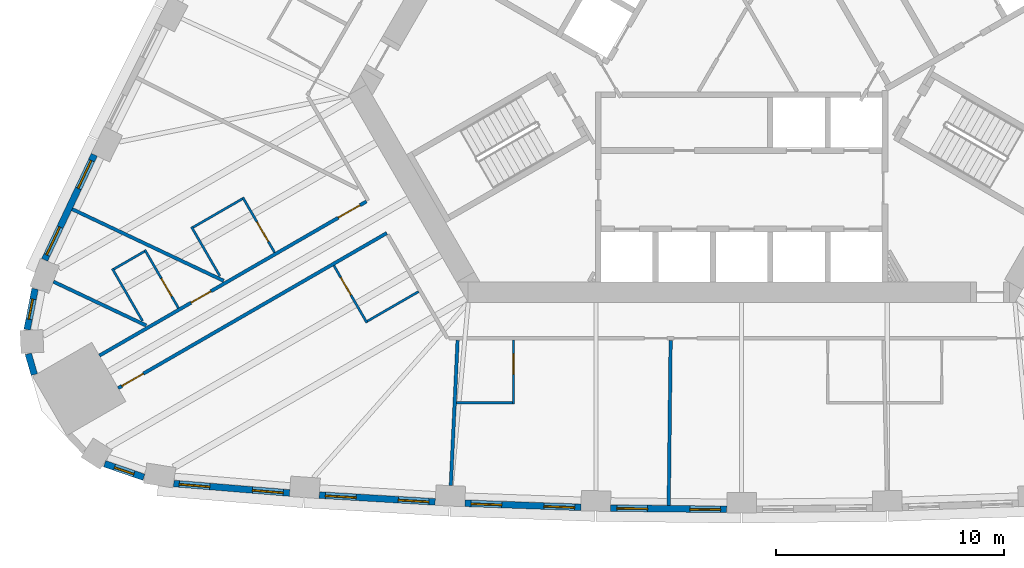
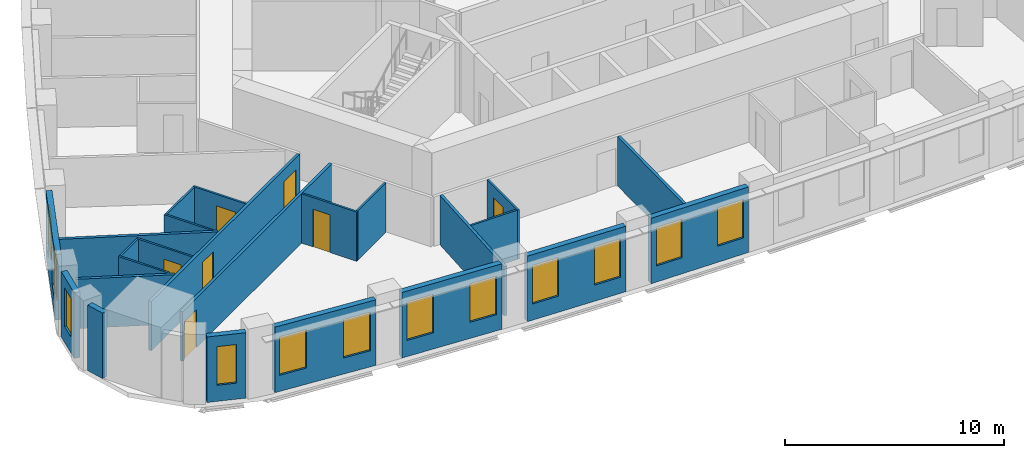
# One storey, part 3 of 12: 24 walls, 12 windows, 7 doors, 19 openings.
"""IFC4 building model written with IfcOpenShell, lengths in metres."""

from ifc_helpers import new_model, si_unit, direction, frame, frame_2d, origin, place, context, subcontext, project, spatial, rectangle, extrude, material, layer, layer_set, type_object, element, fill, save


model = new_model("IFC4")

# Units and contexts
model_context = context("Model", 3, precision=1e-05, world=origin(), true_north=direction((0.0, 1.0)))
body_context = subcontext(model_context, "Body", "Model", "MODEL_VIEW")
ifc_project = project(units=[si_unit("LENGTHUNIT", "METRE"), si_unit("AREAUNIT", "SQUARE_METRE"), si_unit("VOLUMEUNIT", "CUBIC_METRE"), si_unit("PLANEANGLEUNIT", "RADIAN"), si_unit("MASSUNIT", "GRAM", prefix="KILO")], contexts=[model_context])

# Site, building, storey
site_placement = place(None, origin())
site = spatial("IfcSite", under=ifc_project, at=site_placement, CompositionType="ELEMENT")
building_placement = place(site_placement, origin())
building = spatial("IfcBuilding", under=site, at=building_placement, Name="Mestral Congress Tower", CompositionType="ELEMENT")
storey_placement = place(building_placement, frame((0.0, 0.0, 118.800048828125)))
storey = spatial("IfcBuildingStorey", under=building, at=storey_placement, Name="L28", CompositionType="ELEMENT", Elevation=118.800048828125)

# Wall, openings, windows
ifc_material_1 = material(Name="Precast concrete C40/50 with limestone facing", Category="masonry")
ifc_layer_1 = layer(ifc_material_1, 0.2900390625)
ifc_layer_set_1 = layer_set([ifc_layer_1], Name="Precast concrete C40/50 with limestone facing")
wall_type_1 = type_object("IfcWallType", Name="Facade stone wall 290", PredefinedType="SOLIDWALL", material=ifc_layer_set_1)
wall_1_placement = place(storey_placement, frame((-24.9462890625, -20.95361328125, 0.0), z_axis=(0.0, 0.0, 1.0), x_axis=(0.99665273362, -0.081751627308, 0.0)))
wall_1 = element("IfcWall", 1, at=wall_1_placement, inside=storey, type_object=wall_type_1, Name="Facade wall F0-00", PredefinedType="SOLIDWALL", context=body_context, shape_type="SweptSolid", body=[
    extrude(rectangle(XDim=5.106689453125, YDim=0.2900390625, at=frame_2d((2.55322265625, 0.0))), origin(), (0.0, 0.0, 1.0), 3.64990234375),
])
opening_1_placement = place(wall_1_placement, frame((0.240478515625, 0.0, 0.89990234375)))
opening_1 = element("IfcOpeningElement", 2, at=opening_1_placement, cuts=wall_1, Name="Opening W2", PredefinedType="OPENING", context=body_context, shape_type="SweptSolid", body=[
    extrude(rectangle(XDim=1.35009765625, YDim=2.14990234375, at=frame_2d((0.675048828125, 1.074951171875))), frame((0.0, 0.155029296875, 0.0), z_axis=(0.0, -1.0, 0.0), x_axis=(1.0, 0.0, 0.0)), (0.0, 0.0, 1.0), 0.31005859375),
])
opening_2_placement = place(wall_1_placement, frame((3.47119140625, 0.0, 0.89990234375)))
opening_2 = element("IfcOpeningElement", 3, at=opening_2_placement, cuts=wall_1, Name="Opening W2", PredefinedType="OPENING", context=body_context, shape_type="SweptSolid", body=[
    extrude(rectangle(XDim=1.35009765625, YDim=2.14990234375, at=frame_2d((0.675048828125, 1.074951171875))), frame((0.0, 0.155029296875, 0.0), z_axis=(0.0, -1.0, 0.0), x_axis=(1.0, 0.0, 0.0)), (0.0, 0.0, 1.0), 0.31005859375),
])
ifc_material_2 = material(Name="Clear low-emissivity double glazing", Category="glass")
window_type_1 = type_object("IfcWindowType", Name="Facade punched window 1350 x 2150 sill 900", PartitioningType="DOUBLE_PANEL_VERTICAL", PredefinedType="WINDOW", material=ifc_material_2)
window_1_placement = place(opening_1_placement, origin())
window_1 = element("IfcWindow", 4, at=window_1_placement, inside=storey, type_object=window_type_1, Name="Window F0-00a", OverallHeight=2.14990234375, OverallWidth=1.35009765625, PartitioningType="DOUBLE_PANEL_VERTICAL", PredefinedType="WINDOW", context=body_context, shape_type="SweptSolid", body=[
    extrude(rectangle(XDim=1.35009765625, YDim=2.14990234375, at=frame_2d((0.675048828125, 1.074951171875))), frame((0.0, 0.01513671875, 0.0), z_axis=(0.0, -1.0, 0.0), x_axis=(1.0, 0.0, 0.0)), (0.0, 0.0, 1.0), 0.06005859375),
])
fill(opening_1, window_1)
window_2_placement = place(opening_2_placement, origin())
window_2 = element("IfcWindow", 5, at=window_2_placement, inside=storey, type_object=window_type_1, Name="Window F0-00b", OverallHeight=2.14990234375, OverallWidth=1.35009765625, PartitioningType="DOUBLE_PANEL_VERTICAL", PredefinedType="WINDOW", context=body_context, shape_type="SweptSolid", body=[
    extrude(rectangle(XDim=1.35009765625, YDim=2.14990234375, at=frame_2d((0.675048828125, 1.074951171875))), frame((0.0, 0.01513671875, 0.0), z_axis=(0.0, -1.0, 0.0), x_axis=(1.0, 0.0, 0.0)), (0.0, 0.0, 1.0), 0.06005859375),
])
fill(opening_2, window_2)

wall_2_placement = place(storey_placement, frame((-18.553466796875, -21.462890625, 0.0), z_axis=(0.0, 0.0, 1.0), x_axis=(0.998290511436, -0.058447025388, 0.0)))
wall_2 = element("IfcWall", 6, at=wall_2_placement, inside=storey, type_object=wall_type_1, Name="Facade wall F0-01", PredefinedType="SOLIDWALL", context=body_context, shape_type="SweptSolid", body=[
    extrude(rectangle(XDim=5.100341796875, YDim=0.2900390625, at=frame_2d((2.55029296875, 0.0))), origin(), (0.0, 0.0, 1.0), 3.64990234375),
])
opening_3_placement = place(wall_2_placement, frame((0.272705078125, 0.0, 0.89990234375)))
opening_3 = element("IfcOpeningElement", 7, at=opening_3_placement, cuts=wall_2, Name="Opening W2", PredefinedType="OPENING", context=body_context, shape_type="SweptSolid", body=[
    extrude(rectangle(XDim=1.35009765625, YDim=2.14990234375, at=frame_2d((0.675048828125, 1.074951171875))), frame((0.0, 0.155029296875, 0.0), z_axis=(0.0, -1.0, 0.0), x_axis=(1.0, 0.0, 0.0)), (0.0, 0.0, 1.0), 0.31005859375),
])
opening_4_placement = place(wall_2_placement, frame((3.477783203125, 0.0, 0.89990234375)))
opening_4 = element("IfcOpeningElement", 8, at=opening_4_placement, cuts=wall_2, Name="Opening W2", PredefinedType="OPENING", context=body_context, shape_type="SweptSolid", body=[
    extrude(rectangle(XDim=1.35009765625, YDim=2.14990234375, at=frame_2d((0.675048828125, 1.074951171875))), frame((0.0, 0.155029296875, 0.0), z_axis=(0.0, -1.0, 0.0), x_axis=(1.0, 0.0, 0.0)), (0.0, 0.0, 1.0), 0.31005859375),
])
window_3_placement = place(opening_3_placement, origin())
window_3 = element("IfcWindow", 9, at=window_3_placement, inside=storey, type_object=window_type_1, Name="Window F0-01a", OverallHeight=2.14990234375, OverallWidth=1.35009765625, PartitioningType="DOUBLE_PANEL_VERTICAL", PredefinedType="WINDOW", context=body_context, shape_type="SweptSolid", body=[
    extrude(rectangle(XDim=1.35009765625, YDim=2.14990234375, at=frame_2d((0.675048828125, 1.074951171875))), frame((0.0, 0.01513671875, 0.0), z_axis=(0.0, -1.0, 0.0), x_axis=(1.0, 0.0, 0.0)), (0.0, 0.0, 1.0), 0.06005859375),
])
fill(opening_3, window_3)
window_4_placement = place(opening_4_placement, origin())
window_4 = element("IfcWindow", 10, at=window_4_placement, inside=storey, type_object=window_type_1, Name="Window F0-01b", OverallHeight=2.14990234375, OverallWidth=1.35009765625, PartitioningType="DOUBLE_PANEL_VERTICAL", PredefinedType="WINDOW", context=body_context, shape_type="SweptSolid", body=[
    extrude(rectangle(XDim=1.35009765625, YDim=2.14990234375, at=frame_2d((0.675048828125, 1.074951171875))), frame((0.0, 0.01513671875, 0.0), z_axis=(0.0, -1.0, 0.0), x_axis=(1.0, 0.0, 0.0)), (0.0, 0.0, 1.0), 0.06005859375),
])
fill(opening_4, window_4)

wall_3_placement = place(storey_placement, frame((-12.15673828125, -21.822021484375, 0.0), z_axis=(0.0, 0.0, 1.0), x_axis=(0.999385993957, -0.035037623812, 0.0)))
wall_3 = element("IfcWall", 11, at=wall_3_placement, inside=storey, type_object=wall_type_1, Name="Facade wall F0-02", PredefinedType="SOLIDWALL", context=body_context, shape_type="SweptSolid", body=[
    extrude(rectangle(XDim=5.1005859375, YDim=0.2900390625, at=frame_2d((2.55029296875, 0.0))), origin(), (0.0, 0.0, 1.0), 3.64990234375),
])
opening_5_placement = place(wall_3_placement, frame((0.272705078125, 0.0, 0.89990234375)))
opening_5 = element("IfcOpeningElement", 12, at=opening_5_placement, cuts=wall_3, Name="Opening W2", PredefinedType="OPENING", context=body_context, shape_type="SweptSolid", body=[
    extrude(rectangle(XDim=1.35009765625, YDim=2.14990234375, at=frame_2d((0.675048828125, 1.074951171875))), frame((0.0, 0.155029296875, 0.0), z_axis=(0.0, -1.0, 0.0), x_axis=(1.0, 0.0, 0.0)), (0.0, 0.0, 1.0), 0.31005859375),
])
opening_6_placement = place(wall_3_placement, frame((3.477783203125, 0.0, 0.89990234375)))
opening_6 = element("IfcOpeningElement", 13, at=opening_6_placement, cuts=wall_3, Name="Opening W2", PredefinedType="OPENING", context=body_context, shape_type="SweptSolid", body=[
    extrude(rectangle(XDim=1.35009765625, YDim=2.14990234375, at=frame_2d((0.675048828125, 1.074951171875))), frame((0.0, 0.155029296875, 0.0), z_axis=(0.0, -1.0, 0.0), x_axis=(1.0, 0.0, 0.0)), (0.0, 0.0, 1.0), 0.31005859375),
])
window_5_placement = place(opening_5_placement, origin())
window_5 = element("IfcWindow", 14, at=window_5_placement, inside=storey, type_object=window_type_1, Name="Window F0-02a", OverallHeight=2.14990234375, OverallWidth=1.35009765625, PartitioningType="DOUBLE_PANEL_VERTICAL", PredefinedType="WINDOW", context=body_context, shape_type="SweptSolid", body=[
    extrude(rectangle(XDim=1.35009765625, YDim=2.14990234375, at=frame_2d((0.675048828125, 1.074951171875))), frame((0.0, 0.01513671875, 0.0), z_axis=(0.0, -1.0, 0.0), x_axis=(1.0, 0.0, 0.0)), (0.0, 0.0, 1.0), 0.06005859375),
])
fill(opening_5, window_5)
window_6_placement = place(opening_6_placement, origin())
window_6 = element("IfcWindow", 15, at=window_6_placement, inside=storey, type_object=window_type_1, Name="Window F0-02b", OverallHeight=2.14990234375, OverallWidth=1.35009765625, PartitioningType="DOUBLE_PANEL_VERTICAL", PredefinedType="WINDOW", context=body_context, shape_type="SweptSolid", body=[
    extrude(rectangle(XDim=1.35009765625, YDim=2.14990234375, at=frame_2d((0.675048828125, 1.074951171875))), frame((0.0, 0.01513671875, 0.0), z_axis=(0.0, -1.0, 0.0), x_axis=(1.0, 0.0, 0.0)), (0.0, 0.0, 1.0), 0.06005859375),
])
fill(opening_6, window_6)

wall_4_placement = place(storey_placement, frame((-5.753173828125, -22.031494140625, 0.0), z_axis=(0.0, 0.0, 1.0), x_axis=(0.999931786565, -0.011679992145, 0.0)))
wall_4 = element("IfcWall", 16, at=wall_4_placement, inside=storey, type_object=wall_type_1, Name="Facade wall F0-03", PredefinedType="SOLIDWALL", context=body_context, shape_type="SweptSolid", body=[
    extrude(rectangle(XDim=5.10009765625, YDim=0.2900390625, at=frame_2d((2.550048828125, 0.0))), origin(), (0.0, 0.0, 1.0), 3.64990234375),
])
opening_7_placement = place(wall_4_placement, frame((0.2724609375, 0.0, 0.89990234375)))
opening_7 = element("IfcOpeningElement", 17, at=opening_7_placement, cuts=wall_4, Name="Opening W2", PredefinedType="OPENING", context=body_context, shape_type="SweptSolid", body=[
    extrude(rectangle(XDim=1.35009765625, YDim=2.14990234375, at=frame_2d((0.675048828125, 1.074951171875))), frame((0.0, 0.155029296875, 0.0), z_axis=(0.0, -1.0, 0.0), x_axis=(1.0, 0.0, 0.0)), (0.0, 0.0, 1.0), 0.31005859375),
])
opening_8_placement = place(wall_4_placement, frame((3.477783203125, 0.0, 0.89990234375)))
opening_8 = element("IfcOpeningElement", 18, at=opening_8_placement, cuts=wall_4, Name="Opening W2", PredefinedType="OPENING", context=body_context, shape_type="SweptSolid", body=[
    extrude(rectangle(XDim=1.35009765625, YDim=2.14990234375, at=frame_2d((0.675048828125, 1.074951171875))), frame((0.0, 0.155029296875, 0.0), z_axis=(0.0, -1.0, 0.0), x_axis=(1.0, 0.0, 0.0)), (0.0, 0.0, 1.0), 0.31005859375),
])
window_7_placement = place(opening_7_placement, origin())
window_7 = element("IfcWindow", 19, at=window_7_placement, inside=storey, type_object=window_type_1, Name="Window F0-03a", OverallHeight=2.14990234375, OverallWidth=1.35009765625, PartitioningType="DOUBLE_PANEL_VERTICAL", PredefinedType="WINDOW", context=body_context, shape_type="SweptSolid", body=[
    extrude(rectangle(XDim=1.35009765625, YDim=2.14990234375, at=frame_2d((0.675048828125, 1.074951171875))), frame((0.0, 0.01513671875, 0.0), z_axis=(0.0, -1.0, 0.0), x_axis=(1.0, 0.0, 0.0)), (0.0, 0.0, 1.0), 0.06005859375),
])
fill(opening_7, window_7)
window_8_placement = place(opening_8_placement, origin())
window_8 = element("IfcWindow", 20, at=window_8_placement, inside=storey, type_object=window_type_1, Name="Window F0-03b", OverallHeight=2.14990234375, OverallWidth=1.35009765625, PartitioningType="DOUBLE_PANEL_VERTICAL", PredefinedType="WINDOW", context=body_context, shape_type="SweptSolid", body=[
    extrude(rectangle(XDim=1.35009765625, YDim=2.14990234375, at=frame_2d((0.675048828125, 1.074951171875))), frame((0.0, 0.01513671875, 0.0), z_axis=(0.0, -1.0, 0.0), x_axis=(1.0, 0.0, 0.0)), (0.0, 0.0, 1.0), 0.06005859375),
])
fill(opening_8, window_8)

wall_5_placement = place(storey_placement, frame((-28.436279296875, -6.5107421875, 0.0), z_axis=(0.0, 0.0, 1.0), x_axis=(-0.427543726596, -0.903994669148, 0.0)))
wall_5 = element("IfcWall", 21, at=wall_5_placement, inside=storey, type_object=wall_type_1, Name="Facade wall F2-07", PredefinedType="SOLIDWALL", context=body_context, shape_type="SweptSolid", body=[
    extrude(rectangle(XDim=5.106689453125, YDim=0.2900390625, at=frame_2d((2.55322265625, 0.0))), origin(), (0.0, 0.0, 1.0), 3.64990234375),
])
opening_9_placement = place(wall_5_placement, frame((0.285400390625, 0.0, 0.89990234375)))
opening_9 = element("IfcOpeningElement", 22, at=opening_9_placement, cuts=wall_5, Name="Opening W2", PredefinedType="OPENING", context=body_context, shape_type="SweptSolid", body=[
    extrude(rectangle(XDim=1.35009765625, YDim=2.14990234375, at=frame_2d((0.675048828125, 1.074951171875))), frame((0.0, 0.155029296875, 0.0), z_axis=(0.0, -1.0, 0.0), x_axis=(1.0, 0.0, 0.0)), (0.0, 0.0, 1.0), 0.31005859375),
])
opening_10_placement = place(wall_5_placement, frame((3.516357421875, 0.0, 0.89990234375)))
opening_10 = element("IfcOpeningElement", 23, at=opening_10_placement, cuts=wall_5, Name="Opening W2", PredefinedType="OPENING", context=body_context, shape_type="SweptSolid", body=[
    extrude(rectangle(XDim=1.35009765625, YDim=2.14990234375, at=frame_2d((0.675048828125, 1.074951171875))), frame((0.0, 0.155029296875, 0.0), z_axis=(0.0, -1.0, 0.0), x_axis=(1.0, 0.0, 0.0)), (0.0, 0.0, 1.0), 0.31005859375),
])
window_9_placement = place(opening_9_placement, origin())
window_9 = element("IfcWindow", 24, at=window_9_placement, inside=storey, type_object=window_type_1, Name="Window F2-07a", OverallHeight=2.14990234375, OverallWidth=1.35009765625, PartitioningType="DOUBLE_PANEL_VERTICAL", PredefinedType="WINDOW", context=body_context, shape_type="SweptSolid", body=[
    extrude(rectangle(XDim=1.35009765625, YDim=2.14990234375, at=frame_2d((0.675048828125, 1.074951171875))), frame((0.0, 0.01513671875, 0.0), z_axis=(0.0, -1.0, 0.0), x_axis=(1.0, 0.0, 0.0)), (0.0, 0.0, 1.0), 0.06005859375),
])
fill(opening_9, window_9)
window_10_placement = place(opening_10_placement, origin())
window_10 = element("IfcWindow", 25, at=window_10_placement, inside=storey, type_object=window_type_1, Name="Window F2-07b", OverallHeight=2.14990234375, OverallWidth=1.35009765625, PartitioningType="DOUBLE_PANEL_VERTICAL", PredefinedType="WINDOW", context=body_context, shape_type="SweptSolid", body=[
    extrude(rectangle(XDim=1.35009765625, YDim=2.14990234375, at=frame_2d((0.675048828125, 1.074951171875))), frame((0.0, 0.01513671875, 0.0), z_axis=(0.0, -1.0, 0.0), x_axis=(1.0, 0.0, 0.0)), (0.0, 0.0, 1.0), 0.06005859375),
])
fill(opening_10, window_10)

# Wall, opening, window
wall_6_placement = place(storey_placement, frame((-31.0390625, -12.403076171875, 0.0), z_axis=(0.0, 0.0, 1.0), x_axis=(-0.190409913989, -0.981704672829, 0.0)))
wall_6 = element("IfcWall", 26, at=wall_6_placement, inside=storey, type_object=wall_type_1, Name="Facade wall K2-0", PredefinedType="SOLIDWALL", context=body_context, shape_type="SweptSolid", body=[
    extrude(rectangle(XDim=1.8193359375, YDim=0.2900390625, at=frame_2d((0.90966796875, 0.0))), origin(), (0.0, 0.0, 1.0), 3.64990234375),
])
opening_11_placement = place(wall_6_placement, frame((0.459716796875, 0.0, 0.89990234375)))
opening_11 = element("IfcOpeningElement", 27, at=opening_11_placement, cuts=wall_6, Name="Opening W3", PredefinedType="OPENING", context=body_context, shape_type="SweptSolid", body=[
    extrude(rectangle(XDim=0.89990234375, YDim=2.14990234375, at=frame_2d((0.449951171875, 1.074951171875))), frame((0.0, 0.155029296875, 0.0), z_axis=(0.0, -1.0, 0.0), x_axis=(1.0, 0.0, 0.0)), (0.0, 0.0, 1.0), 0.31005859375),
])
window_type_2 = type_object("IfcWindowType", Name="Facade punched window 900 x 2150 sill 900", PartitioningType="SINGLE_PANEL", PredefinedType="WINDOW", material=ifc_material_2)
window_11_placement = place(opening_11_placement, origin())
window_11 = element("IfcWindow", 28, at=window_11_placement, inside=storey, type_object=window_type_2, Name="Window K2-0", OverallHeight=2.14990234375, OverallWidth=0.89990234375, PartitioningType="SINGLE_PANEL", PredefinedType="WINDOW", context=body_context, shape_type="SweptSolid", body=[
    extrude(rectangle(XDim=0.89990234375, YDim=2.14990234375, at=frame_2d((0.449951171875, 1.074951171875))), frame((0.0, 0.01513671875, 0.0), z_axis=(0.0, -1.0, 0.0), x_axis=(1.0, 0.0, 0.0)), (0.0, 0.0, 1.0), 0.06005859375),
])
fill(opening_11, window_11)

# Wall
wall_7_placement = place(storey_placement, frame((-31.335693359375, -15.25634765625, 0.0), z_axis=(0.0, 0.0, 1.0), x_axis=(0.281454582132, -0.95957455062, 0.0)))
element("IfcWall", 29, at=wall_7_placement, inside=storey, type_object=wall_type_1, Name="Facade wall K2-1", PredefinedType="SOLIDWALL", context=body_context, shape_type="SweptSolid", body=[
    extrude(rectangle(XDim=0.947265625, YDim=0.2900390625, at=frame_2d((0.4736328125, 0.0))), origin(), (0.0, 0.0, 1.0), 3.64990234375),
])

# Wall, opening, window
wall_8_placement = place(storey_placement, frame((-27.98095703125, -20.086181640625, 0.0), z_axis=(0.0, 0.0, 1.0), x_axis=(0.945385815453, -0.325953462844, 0.0)))
wall_8 = element("IfcWall", 30, at=wall_8_placement, inside=storey, type_object=wall_type_1, Name="Facade wall K2-3", PredefinedType="SOLIDWALL", context=body_context, shape_type="SweptSolid", body=[
    extrude(rectangle(XDim=1.8193359375, YDim=0.2900390625, at=frame_2d((0.90966796875, 0.0))), origin(), (0.0, 0.0, 1.0), 3.64990234375),
])
opening_12_placement = place(wall_8_placement, frame((0.459716796875, 0.0, 0.89990234375)))
opening_12 = element("IfcOpeningElement", 31, at=opening_12_placement, cuts=wall_8, Name="Opening W3", PredefinedType="OPENING", context=body_context, shape_type="SweptSolid", body=[
    extrude(rectangle(XDim=0.89990234375, YDim=2.14990234375, at=frame_2d((0.449951171875, 1.074951171875))), frame((0.0, 0.155029296875, 0.0), z_axis=(0.0, -1.0, 0.0), x_axis=(1.0, 0.0, 0.0)), (0.0, 0.0, 1.0), 0.31005859375),
])
window_12_placement = place(opening_12_placement, origin())
window_12 = element("IfcWindow", 32, at=window_12_placement, inside=storey, type_object=window_type_2, Name="Window K2-3", OverallHeight=2.14990234375, OverallWidth=0.89990234375, PartitioningType="SINGLE_PANEL", PredefinedType="WINDOW", context=body_context, shape_type="SweptSolid", body=[
    extrude(rectangle(XDim=0.89990234375, YDim=2.14990234375, at=frame_2d((0.449951171875, 1.074951171875))), frame((0.0, 0.01513671875, 0.0), z_axis=(0.0, -1.0, 0.0), x_axis=(1.0, 0.0, 0.0)), (0.0, 0.0, 1.0), 0.06005859375),
])
fill(opening_12, window_12)

# Wall, opening, door
ifc_material_3 = material(Name="Gypsum board partition on metal studs with mineral wool", Category="composite")
ifc_layer_2 = layer(ifc_material_3, 0.10009765625)
ifc_layer_set_2 = layer_set([ifc_layer_2], Name="Gypsum board partition on metal studs with mineral wool")
wall_type_2 = type_object("IfcWallType", Name="Hotel partition wall 100", PredefinedType="PARTITIONING", material=ifc_layer_set_2)
wall_9_placement = place(storey_placement, frame((-17.91015625, -11.379638671875, 0.0), z_axis=(0.0, 0.0, 1.0), x_axis=(0.499987231761, -0.866032775405, 0.0)))
wall_9 = element("IfcWall", 33, at=wall_9_placement, inside=storey, type_object=wall_type_2, Name="L28-h-pod01a", PredefinedType="PARTITIONING", context=body_context, shape_type="SweptSolid", body=[
    extrude(rectangle(XDim=2.89990234375, YDim=0.10009765625, at=frame_2d((1.449951171875, 0.0))), origin(), (0.0, 0.0, 1.0), 2.75),
])
opening_13_placement = place(wall_9_placement, frame((0.60009765625, 0.0, 0.0)))
opening_13 = element("IfcOpeningElement", 34, at=opening_13_placement, cuts=wall_9, Name="Opening H09-002", PredefinedType="OPENING", context=body_context, shape_type="SweptSolid", body=[
    extrude(rectangle(XDim=0.89990234375, YDim=2.10009765625, at=frame_2d((0.449951171875, 1.050048828125))), frame((0.0, 0.06005859375, 0.0), z_axis=(0.0, -1.0, 0.0), x_axis=(1.0, 0.0, 0.0)), (0.0, 0.0, 1.0), 0.1201171875),
])
ifc_material_4 = material(Name="Timber veneer door leaf in timber frame", Category="wood")
door_type_1 = type_object("IfcDoorType", Name="Bathroom door 900", OperationType="SINGLE_SWING_LEFT", PredefinedType="DOOR", material=ifc_material_4)
door_1_placement = place(opening_13_placement, origin())
door_1 = element("IfcDoor", 35, at=door_1_placement, inside=storey, type_object=door_type_1, Name="L28-h-d002", OperationType="SINGLE_SWING_LEFT", OverallHeight=2.10009765625, OverallWidth=0.89990234375, PredefinedType="DOOR", context=body_context, shape_type="SweptSolid", body=[
    extrude(rectangle(XDim=0.89990234375, YDim=2.10009765625, at=frame_2d((0.449951171875, 1.050048828125))), frame((0.0, 0.02490234375, 0.0), z_axis=(0.0, -1.0, 0.0), x_axis=(1.0, 0.0, 0.0)), (0.0, 0.0, 1.0), 0.050048828125),
])
fill(opening_13, door_1)

# Wall
wall_10_placement = place(storey_placement, frame((-16.44189453125, -13.82275390625, 0.0), z_axis=(0.0, 0.0, 1.0), x_axis=(0.866021400173, 0.500006934395, 0.0)))
element("IfcWall", 36, at=wall_10_placement, inside=storey, type_object=wall_type_2, Name="L28-h-pod01b", PredefinedType="PARTITIONING", context=body_context, shape_type="SweptSolid", body=[
    extrude(rectangle(XDim=2.60009765625, YDim=0.10009765625, at=frame_2d((1.300048828125, 0.0))), origin(), (0.0, 0.0, 1.0), 2.75),
])

# Wall, opening, door
wall_11_placement = place(storey_placement, frame((-10.022216796875, -17.449951171875, 0.0), z_axis=(0.0, 0.0, 1.0), x_axis=(0.0, 1.0, 0.0)))
wall_11 = element("IfcWall", 37, at=wall_11_placement, inside=storey, type_object=wall_type_2, Name="L28-h-pod02a", PredefinedType="PARTITIONING", context=body_context, shape_type="SweptSolid", body=[
    extrude(rectangle(XDim=2.800048828125, YDim=0.10009765625, at=frame_2d((1.39990234375, 0.0))), origin(), (0.0, 0.0, 1.0), 2.75),
])
opening_14_placement = place(wall_11_placement, frame((1.300048828125, 0.0, 0.0)))
opening_14 = element("IfcOpeningElement", 38, at=opening_14_placement, cuts=wall_11, Name="Opening H09-004", PredefinedType="OPENING", context=body_context, shape_type="SweptSolid", body=[
    extrude(rectangle(XDim=0.89990234375, YDim=2.10009765625, at=frame_2d((0.449951171875, 1.050048828125))), frame((0.0, 0.06005859375, 0.0), z_axis=(0.0, -1.0, 0.0), x_axis=(1.0, 0.0, 0.0)), (0.0, 0.0, 1.0), 0.1201171875),
])
door_2_placement = place(opening_14_placement, origin())
door_2 = element("IfcDoor", 39, at=door_2_placement, inside=storey, type_object=door_type_1, Name="L28-h-d004", OperationType="SINGLE_SWING_LEFT", OverallHeight=2.10009765625, OverallWidth=0.89990234375, PredefinedType="DOOR", context=body_context, shape_type="SweptSolid", body=[
    extrude(rectangle(XDim=0.89990234375, YDim=2.10009765625, at=frame_2d((0.449951171875, 1.050048828125))), frame((0.0, 0.02490234375, 0.0), z_axis=(0.0, -1.0, 0.0), x_axis=(1.0, 0.0, 0.0)), (0.0, 0.0, 1.0), 0.050048828125),
])
fill(opening_14, door_2)

# Wall
wall_12_placement = place(storey_placement, frame((-10.072265625, -17.39990234375, 0.0), z_axis=(0.0, 0.0, 1.0), x_axis=(-1.0, 0.0, 0.0)))
element("IfcWall", 40, at=wall_12_placement, inside=storey, type_object=wall_type_2, Name="L28-h-pod02b", PredefinedType="PARTITIONING", context=body_context, shape_type="SweptSolid", body=[
    extrude(rectangle(XDim=2.449951171875, YDim=0.10009765625, at=frame_2d((1.22509765625, 0.0))), origin(), (0.0, 0.0, 1.0), 2.75),
])

# Wall, opening, door
wall_13_placement = place(storey_placement, frame((-20.5146484375, -10.804931640625, 0.0), z_axis=(0.0, 0.0, 1.0), x_axis=(-0.49994636267, 0.866056369097, 0.0)))
wall_13 = element("IfcWall", 41, at=wall_13_placement, inside=storey, type_object=wall_type_2, Name="L28-h-pod19a", PredefinedType="PARTITIONING", context=body_context, shape_type="SweptSolid", body=[
    extrude(rectangle(XDim=2.800048828125, YDim=0.10009765625, at=frame_2d((1.39990234375, 0.0))), origin(), (0.0, 0.0, 1.0), 2.75),
])
opening_15_placement = place(wall_13_placement, frame((0.550048828125, 0.0, 0.0)))
opening_15 = element("IfcOpeningElement", 42, at=opening_15_placement, cuts=wall_13, Name="Opening H09-036", PredefinedType="OPENING", context=body_context, shape_type="SweptSolid", body=[
    extrude(rectangle(XDim=1.0, YDim=2.10009765625, at=frame_2d((0.5, 1.050048828125))), frame((0.0, 0.06005859375, 0.0), z_axis=(0.0, -1.0, 0.0), x_axis=(1.0, 0.0, 0.0)), (0.0, 0.0, 1.0), 0.1201171875),
])
door_type_2 = type_object("IfcDoorType", Name="Accessible bathroom door 1000", OperationType="SINGLE_SWING_LEFT", PredefinedType="DOOR", material=ifc_material_4)
door_3_placement = place(opening_15_placement, origin())
door_3 = element("IfcDoor", 43, at=door_3_placement, inside=storey, type_object=door_type_2, Name="L28-h-d036", OperationType="SINGLE_SWING_LEFT", OverallHeight=2.10009765625, OverallWidth=1.0, PredefinedType="DOOR", context=body_context, shape_type="SweptSolid", body=[
    extrude(rectangle(XDim=1.0, YDim=2.10009765625, at=frame_2d((0.5, 1.050048828125))), frame((0.0, 0.02490234375, 0.0), z_axis=(0.0, -1.0, 0.0), x_axis=(1.0, 0.0, 0.0)), (0.0, 0.0, 1.0), 0.050048828125),
])
fill(opening_15, door_3)

# Walls
for number, where, z_axis, x_axis, name in (
    (44, (-21.932861328125, -8.4482421875, 0.0), (0.0, 0.0, 1.0), (-0.866022959057, -0.500004234368, 0.0), "L28-h-pod19b"),
    (45, (-22.916259765625, -11.844970703125, 0.0), (0.0, 0.0, 1.0), (-0.500004234368, 0.866022959057, 0.0), "L28-h-pod19c"),
):
    element("IfcWall", number, at=place(storey_placement, frame(where, z_axis=z_axis, x_axis=x_axis)), inside=storey, type_object=wall_type_2, Name=name, PredefinedType="PARTITIONING", context=body_context, shape_type="SweptSolid", body=[
        extrude(rectangle(XDim=2.5, YDim=0.10009765625, at=frame_2d((1.25, 0.0))), origin(), (0.0, 0.0, 1.0), 2.75),
    ])

# Wall, opening, door
wall_14_placement = place(storey_placement, frame((-24.739990234375, -13.244384765625, 0.0), z_axis=(0.0, 0.0, 1.0), x_axis=(-0.500037662692, 0.866003658127, 0.0)))
wall_14 = element("IfcWall", 46, at=wall_14_placement, inside=storey, type_object=wall_type_2, Name="L28-h-pod20a", PredefinedType="PARTITIONING", context=body_context, shape_type="SweptSolid", body=[
    extrude(rectangle(XDim=2.949951171875, YDim=0.10009765625, at=frame_2d((1.47509765625, 0.0))), origin(), (0.0, 0.0, 1.0), 2.75),
])
opening_16_placement = place(wall_14_placement, frame((0.60009765625, 0.0, 0.0)))
opening_16 = element("IfcOpeningElement", 47, at=opening_16_placement, cuts=wall_14, Name="Opening H09-038", PredefinedType="OPENING", context=body_context, shape_type="SweptSolid", body=[
    extrude(rectangle(XDim=0.89990234375, YDim=2.10009765625, at=frame_2d((0.449951171875, 1.050048828125))), frame((0.0, 0.06005859375, 0.0), z_axis=(0.0, -1.0, 0.0), x_axis=(1.0, 0.0, 0.0)), (0.0, 0.0, 1.0), 0.1201171875),
])
door_4_placement = place(opening_16_placement, origin())
door_4 = element("IfcDoor", 48, at=door_4_placement, inside=storey, type_object=door_type_1, Name="L28-h-d038", OperationType="SINGLE_SWING_LEFT", OverallHeight=2.10009765625, OverallWidth=0.89990234375, PredefinedType="DOOR", context=body_context, shape_type="SweptSolid", body=[
    extrude(rectangle(XDim=0.89990234375, YDim=2.10009765625, at=frame_2d((0.449951171875, 1.050048828125))), frame((0.0, 0.02490234375, 0.0), z_axis=(0.0, -1.0, 0.0), x_axis=(1.0, 0.0, 0.0)), (0.0, 0.0, 1.0), 0.050048828125),
])
fill(opening_16, door_4)

# Walls
wall_15_placement = place(storey_placement, frame((-26.2333984375, -10.758056640625, 0.0), z_axis=(0.0, 0.0, 1.0), x_axis=(-0.866043940782, -0.499967891604, 0.0)))
element("IfcWall", 49, at=wall_15_placement, inside=storey, type_object=wall_type_2, Name="L28-h-pod20b", PredefinedType="PARTITIONING", context=body_context, shape_type="SweptSolid", body=[
    extrude(rectangle(XDim=1.5498046875, YDim=0.10009765625, at=frame_2d((0.77490234375, 0.0))), origin(), (0.0, 0.0, 1.0), 2.75),
])
wall_16_placement = place(storey_placement, frame((-26.319091796875, -13.809814453125, 0.0), z_axis=(0.0, 0.0, 1.0), x_axis=(-0.499953715521, 0.866052124492, 0.0)))
element("IfcWall", 50, at=wall_16_placement, inside=storey, type_object=wall_type_2, Name="L28-h-pod20c", PredefinedType="PARTITIONING", context=body_context, shape_type="SweptSolid", body=[
    extrude(rectangle(XDim=2.650146484375, YDim=0.10009765625, at=frame_2d((1.3251953125, 0.0))), origin(), (0.0, 0.0, 1.0), 2.75),
])

# Wall, openings, doors
ifc_layer_3 = layer(ifc_material_3, 0.14990234375)
ifc_layer_set_3 = layer_set([ifc_layer_3], Name="Gypsum board partition on metal studs with mineral wool")
wall_type_3 = type_object("IfcWallType", Name="Hotel partition wall 150", PredefinedType="PARTITIONING", material=ifc_layer_set_3)
wall_17_placement = place(storey_placement, frame((-28.210693359375, -15.334716796875, 0.0), z_axis=(0.0, 0.0, 1.0), x_axis=(0.866025884867, 0.49999916674, 0.0)))
wall_17 = element("IfcWall", 51, at=wall_17_placement, inside=storey, type_object=wall_type_3, Name="L28-h-cw10", PredefinedType="PARTITIONING", context=body_context, shape_type="SweptSolid", body=[
    extrude(rectangle(XDim=13.54345703125, YDim=0.14990234375, at=frame_2d((6.771728515625, 0.0))), origin(), (0.0, 0.0, 1.0), 2.75),
])
opening_17_placement = place(wall_17_placement, frame((12.113525390625, 0.0, 0.0)))
opening_17 = element("IfcOpeningElement", 52, at=opening_17_placement, cuts=wall_17, Name="Opening H09-035", PredefinedType="OPENING", context=body_context, shape_type="SweptSolid", body=[
    extrude(rectangle(XDim=1.10009765625, YDim=2.10009765625, at=frame_2d((0.550048828125, 1.050048828125))), frame((0.0, 0.0849609375, 0.0), z_axis=(0.0, -1.0, 0.0), x_axis=(1.0, 0.0, 0.0)), (0.0, 0.0, 1.0), 0.169921875),
])
opening_18_placement = place(wall_17_placement, frame((4.650146484375, 0.0, 0.0)))
opening_18 = element("IfcOpeningElement", 53, at=opening_18_placement, cuts=wall_17, Name="Opening H09-037", PredefinedType="OPENING", context=body_context, shape_type="SweptSolid", body=[
    extrude(rectangle(XDim=1.0, YDim=2.10009765625, at=frame_2d((0.5, 1.050048828125))), frame((0.0, 0.0849609375, 0.0), z_axis=(0.0, -1.0, 0.0), x_axis=(1.0, 0.0, 0.0)), (0.0, 0.0, 1.0), 0.169921875),
])
ifc_material_5 = material(Name="Timber veneer door leaf in metal frame", Category="wood")
door_type_3 = type_object("IfcDoorType", Name="Accessible room entrance door 1100", OperationType="SINGLE_SWING_LEFT", PredefinedType="DOOR", material=ifc_material_5)
door_5_placement = place(opening_17_placement, origin())
door_5 = element("IfcDoor", 54, at=door_5_placement, inside=storey, type_object=door_type_3, Name="L28-h-d035", OperationType="SINGLE_SWING_RIGHT", OverallHeight=2.10009765625, OverallWidth=1.10009765625, PredefinedType="DOOR", context=body_context, shape_type="SweptSolid", body=[
    extrude(rectangle(XDim=1.10009765625, YDim=2.10009765625, at=frame_2d((0.550048828125, 1.050048828125))), frame((0.0, 0.02490234375, 0.0), z_axis=(0.0, -1.0, 0.0), x_axis=(1.0, 0.0, 0.0)), (0.0, 0.0, 1.0), 0.050048828125),
])
fill(opening_17, door_5)
door_type_4 = type_object("IfcDoorType", Name="Guest room entrance door 1000", OperationType="SINGLE_SWING_LEFT", PredefinedType="DOOR", material=ifc_material_5)
door_6_placement = place(opening_18_placement, origin())
door_6 = element("IfcDoor", 55, at=door_6_placement, inside=storey, type_object=door_type_4, Name="L28-h-d037", OperationType="SINGLE_SWING_RIGHT", OverallHeight=2.10009765625, OverallWidth=1.0, PredefinedType="DOOR", context=body_context, shape_type="SweptSolid", body=[
    extrude(rectangle(XDim=1.0, YDim=2.10009765625, at=frame_2d((0.5, 1.050048828125))), frame((0.0, 0.02490234375, 0.0), z_axis=(0.0, -1.0, 0.0), x_axis=(1.0, 0.0, 0.0)), (0.0, 0.0, 1.0), 0.050048828125),
])
fill(opening_18, door_6)

# Wall, opening, door
wall_18_placement = place(storey_placement, frame((-15.58740234375, -9.951904296875, 0.0), z_axis=(0.0, 0.0, 1.0), x_axis=(-0.866017869832, -0.500013048961, 0.0)))
wall_18 = element("IfcWall", 56, at=wall_18_placement, inside=storey, type_object=wall_type_3, Name="L28-h-cw11", PredefinedType="PARTITIONING", context=body_context, shape_type="SweptSolid", body=[
    extrude(rectangle(XDim=13.623779296875, YDim=0.14990234375, at=frame_2d((6.81201171875, 0.0))), origin(), (0.0, 0.0, 1.0), 2.75),
])
opening_19_placement = place(wall_18_placement, frame((12.343505859375, 0.0, 0.0)))
opening_19 = element("IfcOpeningElement", 57, at=opening_19_placement, cuts=wall_18, Name="Opening H09-001", PredefinedType="OPENING", context=body_context, shape_type="SweptSolid", body=[
    extrude(rectangle(XDim=1.10009765625, YDim=2.10009765625, at=frame_2d((0.550048828125, 1.050048828125))), frame((0.0, 0.0849609375, 0.0), z_axis=(0.0, -1.0, 0.0), x_axis=(1.0, 0.0, 0.0)), (0.0, 0.0, 1.0), 0.169921875),
])
door_7_placement = place(opening_19_placement, origin())
door_7 = element("IfcDoor", 58, at=door_7_placement, inside=storey, type_object=door_type_3, Name="L28-h-d001", OperationType="SINGLE_SWING_RIGHT", OverallHeight=2.10009765625, OverallWidth=1.10009765625, PredefinedType="DOOR", context=body_context, shape_type="SweptSolid", body=[
    extrude(rectangle(XDim=1.10009765625, YDim=2.10009765625, at=frame_2d((0.550048828125, 1.050048828125))), frame((0.0, 0.02490234375, 0.0), z_axis=(0.0, -1.0, 0.0), x_axis=(1.0, 0.0, 0.0)), (0.0, 0.0, 1.0), 0.050048828125),
])
fill(opening_19, door_7)

# Walls
wall_19_placement = place(storey_placement, frame((-30.23095703125, -12.08544921875, 0.0), z_axis=(0.0, 0.0, 1.0), x_axis=(0.904001132572, -0.427530060122, 0.0)))
element("IfcWall", 59, at=wall_19_placement, inside=storey, type_object=wall_type_3, Name="L28-h-pw01", PredefinedType="PARTITIONING", context=body_context, shape_type="SweptSolid", body=[
    extrude(rectangle(XDim=4.509521484375, YDim=0.14990234375, at=frame_2d((2.2548828125, 0.0))), origin(), (0.0, 0.0, 1.0), 2.75),
])
wall_20_placement = place(storey_placement, frame((-29.406494140625, -8.9013671875, 0.0), z_axis=(0.0, 0.0, 1.0), x_axis=(0.904002363742, -0.427527456836, 0.0)))
element("IfcWall", 60, at=wall_20_placement, inside=storey, type_object=wall_type_3, Name="L28-h-pw02", PredefinedType="PARTITIONING", context=body_context, shape_type="SweptSolid", body=[
    extrude(rectangle(XDim=7.362060546875, YDim=0.14990234375, at=frame_2d((3.68115234375, 0.0))), origin(), (0.0, 0.0, 1.0), 2.75),
])
wall_21_placement = place(storey_placement, frame((-12.7744140625, -21.044921875, 0.0), z_axis=(0.0, 0.0, 1.0), x_axis=(0.046750341626, 0.998906605023, 0.0)))
element("IfcWall", 61, at=wall_21_placement, inside=storey, type_object=wall_type_3, Name="L28-h-pw07", PredefinedType="PARTITIONING", context=body_context, shape_type="SweptSolid", body=[
    extrude(rectangle(XDim=6.39208984375, YDim=0.14990234375, at=frame_2d((3.196044921875, 0.0))), origin(), (0.0, 0.0, 1.0), 2.75),
])
wall_22_placement = place(storey_placement, frame((-3.20166015625, -21.916259765625, 0.0), z_axis=(0.0, 0.0, 1.0), x_axis=(0.011707696285, 0.999931462575, 0.0)))
element("IfcWall", 62, at=wall_22_placement, inside=storey, type_object=wall_type_3, Name="L28-h-pw09", PredefinedType="PARTITIONING", context=body_context, shape_type="SweptSolid", body=[
    extrude(rectangle(XDim=7.2568359375, YDim=0.14990234375, at=frame_2d((3.62841796875, 0.0))), origin(), (0.0, 0.0, 1.0), 2.75),
])

save(model, "model.ifc")
